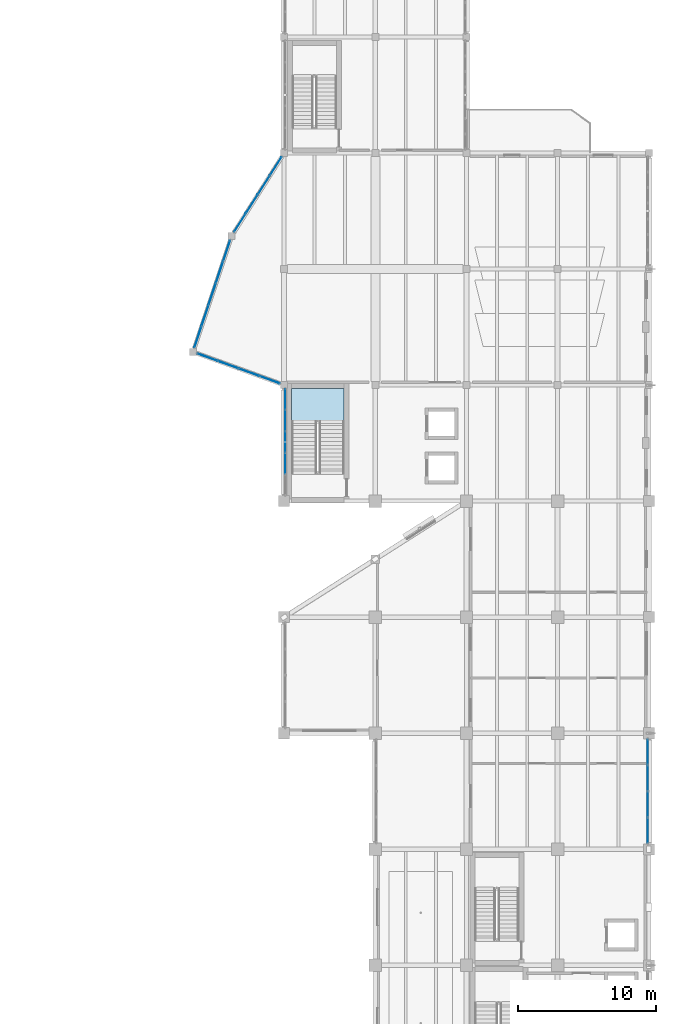
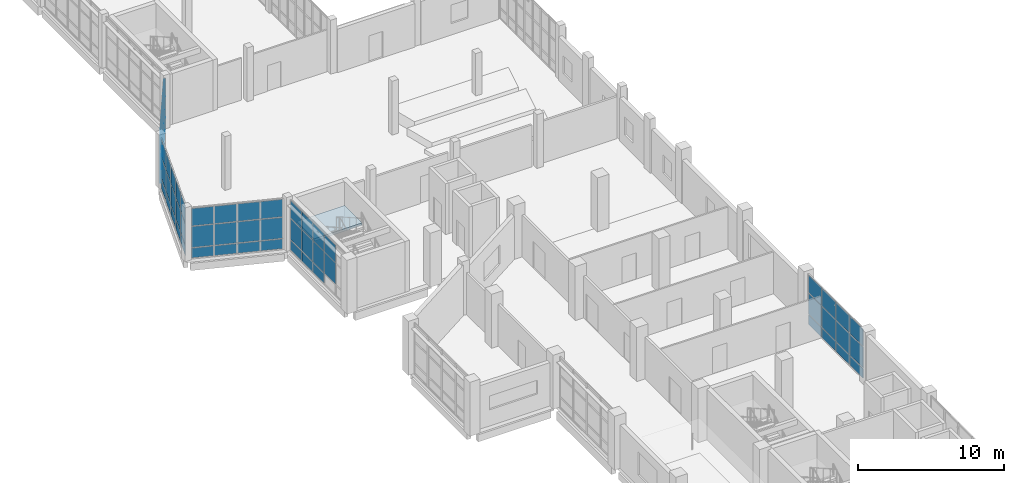
# One storey, part 39 of 76: 62 plates, 1 slab, 6 elements without a shape of their own.
"""IFC4 building model written with IfcOpenShell, lengths in metres."""

from ifc_helpers import new_model, si_unit, direction, frame, origin, origin_2d, place, context, subcontext, project, spatial, polyline, rectangle, outline, extrude, material, layer, layer_set, type_object, element, aggregate, save


model = new_model("IFC4")

# Units and contexts
model_context = context("Model", 3, precision=1e-05, world=origin(), true_north=direction((0.0, 1.0)))
body_context = subcontext(model_context, "Body", "Model", "MODEL_VIEW")
ifc_project = project(units=[si_unit("LENGTHUNIT", "METRE"), si_unit("AREAUNIT", "SQUARE_METRE"), si_unit("VOLUMEUNIT", "CUBIC_METRE"), si_unit("PLANEANGLEUNIT", "RADIAN"), si_unit("MASSUNIT", "GRAM", prefix="KILO")], contexts=[model_context])

# Site, building, storey
site_placement = place(None, origin())
site = spatial("IfcSite", under=ifc_project, at=site_placement, CompositionType="ELEMENT")
building_placement = place(site_placement, origin())
building = spatial("IfcBuilding", under=site, at=building_placement, Name="Qaldarim Faculty of Natural and Applied Sciences", CompositionType="ELEMENT")
storey_placement = place(building_placement, frame((0.0, 0.0, 9.89990234375)))
storey = spatial("IfcBuildingStorey", under=building, at=storey_placement, Name="L02", CompositionType="ELEMENT", Elevation=9.89990234375)

# Curtain wall, plates
ifc_material_1 = material(Name="Anodised aluminium AW-6063", Category="aluminium")
curtain_wall_type_1 = type_object("IfcCurtainWallType", Name="CurtainWallSystem-M1700", PredefinedType="USERDEFINED", material=ifc_material_1)
curtain_wall_1_placement = place(storey_placement, origin())
curtain_wall_1 = element("IfcCurtainWall", 1, at=curtain_wall_1_placement, inside=storey, type_object=curtain_wall_type_1, Name="Curtain wall CW-L02-E-X27Y05", ObjectType="UNITISED FACADE", PredefinedType="USERDEFINED")
ifc_material_2 = material(Name="Insulated low-e double glazing", Category="glass")
ifc_layer_1 = layer(ifc_material_2, 0.031982421875)
ifc_layer_set_1 = layer_set([ifc_layer_1], Name="Insulated low-e double glazing")
plate_type_1 = type_object("IfcPlateType", Name="SolarControlGlazingPanel-32", PredefinedType="CURTAIN_PANEL", material=ifc_layer_set_1)
plate_1_placement = place(storey_placement, frame((178.1201171875, 34.963623046875, 0.070068359375), z_axis=(0.0, 0.0, 1.0), x_axis=(0.0, 1.0, 0.0)))
plate_1 = element("IfcPlate", 2, at=plate_1_placement, type_object=plate_type_1, Name="Glazed panel 1-1 of CW-L02-E-X27Y05", PredefinedType="CURTAIN_PANEL", context=body_context, shape_type="SweptSolid", body=[
    extrude(rectangle(XDim=1.797607421875, YDim=0.031982421875, at=origin_2d()), origin(), (0.0, 0.0, 1.0), 0.794921875),
])
plate_2_placement = place(storey_placement, frame((178.1201171875, 34.963623046875, 0.93505859375), z_axis=(0.0, 0.0, 1.0), x_axis=(0.0, 1.0, 0.0)))
plate_2 = element("IfcPlate", 3, at=plate_2_placement, type_object=plate_type_1, Name="Glazed panel 1-2 of CW-L02-E-X27Y05", PredefinedType="CURTAIN_PANEL", context=body_context, shape_type="SweptSolid", body=[
    extrude(rectangle(XDim=1.797607421875, YDim=0.031982421875, at=origin_2d()), origin(), (0.0, 0.0, 1.0), 1.72998046875),
])
plate_3_placement = place(storey_placement, frame((178.1201171875, 34.963623046875, 2.735107421875), z_axis=(0.0, 0.0, 1.0), x_axis=(0.0, 1.0, 0.0)))
plate_3 = element("IfcPlate", 4, at=plate_3_placement, type_object=plate_type_1, Name="Glazed panel 1-3 of CW-L02-E-X27Y05", PredefinedType="CURTAIN_PANEL", context=body_context, shape_type="SweptSolid", body=[
    extrude(rectangle(XDim=1.797607421875, YDim=0.031982421875, at=origin_2d()), origin(), (0.0, 0.0, 1.0), 1.43505859375),
])
plate_4_placement = place(storey_placement, frame((178.1201171875, 36.8486328125, 0.070068359375), z_axis=(0.0, 0.0, 1.0), x_axis=(0.0, 1.0, 0.0)))
plate_4 = element("IfcPlate", 5, at=plate_4_placement, type_object=plate_type_1, Name="Glazed panel 2-1 of CW-L02-E-X27Y05", PredefinedType="CURTAIN_PANEL", context=body_context, shape_type="SweptSolid", body=[
    extrude(rectangle(XDim=1.83251953125, YDim=0.031982421875, at=origin_2d()), origin(), (0.0, 0.0, 1.0), 0.794921875),
])
plate_5_placement = place(storey_placement, frame((178.1201171875, 36.8486328125, 0.93505859375), z_axis=(0.0, 0.0, 1.0), x_axis=(0.0, 1.0, 0.0)))
plate_5 = element("IfcPlate", 6, at=plate_5_placement, type_object=plate_type_1, Name="Glazed panel 2-2 of CW-L02-E-X27Y05", PredefinedType="CURTAIN_PANEL", context=body_context, shape_type="SweptSolid", body=[
    extrude(rectangle(XDim=1.83251953125, YDim=0.031982421875, at=origin_2d()), origin(), (0.0, 0.0, 1.0), 1.72998046875),
])
plate_6_placement = place(storey_placement, frame((178.1201171875, 36.8486328125, 2.735107421875), z_axis=(0.0, 0.0, 1.0), x_axis=(0.0, 1.0, 0.0)))
plate_6 = element("IfcPlate", 7, at=plate_6_placement, type_object=plate_type_1, Name="Glazed panel 2-3 of CW-L02-E-X27Y05", PredefinedType="CURTAIN_PANEL", context=body_context, shape_type="SweptSolid", body=[
    extrude(rectangle(XDim=1.83251953125, YDim=0.031982421875, at=origin_2d()), origin(), (0.0, 0.0, 1.0), 1.43505859375),
])
plate_7_placement = place(storey_placement, frame((178.1201171875, 38.751220703125, 0.070068359375), z_axis=(0.0, 0.0, 1.0), x_axis=(0.0, 1.0, 0.0)))
plate_7 = element("IfcPlate", 8, at=plate_7_placement, type_object=plate_type_1, Name="Glazed panel 3-1 of CW-L02-E-X27Y05", PredefinedType="CURTAIN_PANEL", context=body_context, shape_type="SweptSolid", body=[
    extrude(rectangle(XDim=1.83251953125, YDim=0.031982421875, at=origin_2d()), origin(), (0.0, 0.0, 1.0), 0.794921875),
])
plate_8_placement = place(storey_placement, frame((178.1201171875, 38.751220703125, 0.93505859375), z_axis=(0.0, 0.0, 1.0), x_axis=(0.0, 1.0, 0.0)))
plate_8 = element("IfcPlate", 9, at=plate_8_placement, type_object=plate_type_1, Name="Glazed panel 3-2 of CW-L02-E-X27Y05", PredefinedType="CURTAIN_PANEL", context=body_context, shape_type="SweptSolid", body=[
    extrude(rectangle(XDim=1.83251953125, YDim=0.031982421875, at=origin_2d()), origin(), (0.0, 0.0, 1.0), 1.72998046875),
])
plate_9_placement = place(storey_placement, frame((178.1201171875, 38.751220703125, 2.735107421875), z_axis=(0.0, 0.0, 1.0), x_axis=(0.0, 1.0, 0.0)))
plate_9 = element("IfcPlate", 10, at=plate_9_placement, type_object=plate_type_1, Name="Glazed panel 3-3 of CW-L02-E-X27Y05", PredefinedType="CURTAIN_PANEL", context=body_context, shape_type="SweptSolid", body=[
    extrude(rectangle(XDim=1.83251953125, YDim=0.031982421875, at=origin_2d()), origin(), (0.0, 0.0, 1.0), 1.43505859375),
])
plate_10_placement = place(storey_placement, frame((178.1201171875, 40.63623046875, 0.070068359375), z_axis=(0.0, 0.0, 1.0), x_axis=(0.0, 1.0, 0.0)))
plate_10 = element("IfcPlate", 11, at=plate_10_placement, type_object=plate_type_1, Name="Glazed panel 4-1 of CW-L02-E-X27Y05", PredefinedType="CURTAIN_PANEL", context=body_context, shape_type="SweptSolid", body=[
    extrude(rectangle(XDim=1.797607421875, YDim=0.031982421875, at=origin_2d()), origin(), (0.0, 0.0, 1.0), 0.794921875),
])
plate_11_placement = place(storey_placement, frame((178.1201171875, 40.63623046875, 0.93505859375), z_axis=(0.0, 0.0, 1.0), x_axis=(0.0, 1.0, 0.0)))
plate_11 = element("IfcPlate", 12, at=plate_11_placement, type_object=plate_type_1, Name="Glazed panel 4-2 of CW-L02-E-X27Y05", PredefinedType="CURTAIN_PANEL", context=body_context, shape_type="SweptSolid", body=[
    extrude(rectangle(XDim=1.797607421875, YDim=0.031982421875, at=origin_2d()), origin(), (0.0, 0.0, 1.0), 1.72998046875),
])
plate_12_placement = place(storey_placement, frame((178.1201171875, 40.63623046875, 2.735107421875), z_axis=(0.0, 0.0, 1.0), x_axis=(0.0, 1.0, 0.0)))
plate_12 = element("IfcPlate", 13, at=plate_12_placement, type_object=plate_type_1, Name="Glazed panel 4-3 of CW-L02-E-X27Y05", PredefinedType="CURTAIN_PANEL", context=body_context, shape_type="SweptSolid", body=[
    extrude(rectangle(XDim=1.797607421875, YDim=0.031982421875, at=origin_2d()), origin(), (0.0, 0.0, 1.0), 1.43505859375),
])
aggregate(curtain_wall_1, [plate_1, plate_2, plate_3, plate_4, plate_5, plate_6, plate_7, plate_8, plate_9, plate_10, plate_11, plate_12])

# Stair, slab
ifc_material_3 = material(Name="Concrete C40/50", Category="concrete")
stair_type = type_object("IfcStairType", Name="DoglegStair-W1800-H4500-28R", PredefinedType="HALF_TURN_STAIR", material=ifc_material_3)
stair_placement = place(storey_placement, origin())
stair = element("IfcStair", 14, at=stair_placement, inside=storey, type_object=stair_type, Name="Enclosed exit stair ST-C1 L02", PredefinedType="HALF_TURN_STAIR")
ifc_layer_2 = layer(ifc_material_3, 0.2099609375)
ifc_layer_set_2 = layer_set([ifc_layer_2], Name="Concrete C40/50")
slab_type = type_object("IfcSlabType", Name="StairLandingSlab-210", PredefinedType="LANDING", material=ifc_layer_set_2)
slab_placement = place(storey_placement, frame((0.0, 0.0, 2.0400390625)))
slab = element("IfcSlab", 15, at=slab_placement, type_object=slab_type, Name="ST-C1 L02 half-landing 1", PredefinedType="LANDING", context=body_context, shape_type="SweptSolid", body=[
    extrude(outline(polyline([(156.14990234375, 64.5400390625), (156.14990234375, 66.949951171875), (152.35009765625, 66.949951171875), (152.35009765625, 64.5400390625), (156.14990234375, 64.5400390625)])), origin(), (0.0, 0.0, 1.0), 0.2099609375),
])
aggregate(stair, [slab])

# Curtain wall, plates
curtain_wall_type_2 = type_object("IfcCurtainWallType", Name="CurtainWallSystem-M1600", PredefinedType="USERDEFINED", material=ifc_material_1)
curtain_wall_2_placement = place(storey_placement, origin())
curtain_wall_2 = element("IfcCurtainWall", 16, at=curtain_wall_2_placement, inside=storey, type_object=curtain_wall_type_2, Name="Curtain wall CW-L02-W-X24Y08", ObjectType="UNITISED FACADE", PredefinedType="USERDEFINED")
ifc_layer_3 = layer(ifc_material_2, 0.028076171875)
ifc_layer_set_3 = layer_set([ifc_layer_3], Name="Insulated low-e double glazing")
plate_type_2 = type_object("IfcPlateType", Name="VisionGlazingPanel-28", PredefinedType="CURTAIN_PANEL", material=ifc_layer_set_3)
plate_13_placement = place(storey_placement, frame((151.8798828125, 66.1640625, 0.06005859375), z_axis=(0.0, 0.0, 1.0), x_axis=(0.0, -1.0, 0.0)))
plate_13 = element("IfcPlate", 17, at=plate_13_placement, type_object=plate_type_2, Name="Glazed panel 1-1 of CW-L02-W-X24Y08", PredefinedType="CURTAIN_PANEL", context=body_context, shape_type="SweptSolid", body=[
    extrude(rectangle(XDim=1.4619140625, YDim=0.028076171875, at=origin_2d()), origin(), (0.0, 0.0, 1.0), 0.81005859375),
])
plate_14_placement = place(storey_placement, frame((151.8798828125, 66.1640625, 0.93017578125), z_axis=(0.0, 0.0, 1.0), x_axis=(0.0, -1.0, 0.0)))
plate_14 = element("IfcPlate", 18, at=plate_14_placement, type_object=plate_type_2, Name="Glazed panel 1-2 of CW-L02-W-X24Y08", PredefinedType="CURTAIN_PANEL", context=body_context, shape_type="SweptSolid", body=[
    extrude(rectangle(XDim=1.4619140625, YDim=0.028076171875, at=origin_2d()), origin(), (0.0, 0.0, 1.0), 1.739990234375),
])
plate_15_placement = place(storey_placement, frame((151.8798828125, 66.1640625, 2.72998046875), z_axis=(0.0, 0.0, 1.0), x_axis=(0.0, -1.0, 0.0)))
plate_15 = element("IfcPlate", 19, at=plate_15_placement, type_object=plate_type_2, Name="Glazed panel 1-3 of CW-L02-W-X24Y08", PredefinedType="CURTAIN_PANEL", context=body_context, shape_type="SweptSolid", body=[
    extrude(rectangle(XDim=1.4619140625, YDim=0.028076171875, at=origin_2d()), origin(), (0.0, 0.0, 1.0), 1.449951171875),
])
plate_16_placement = place(storey_placement, frame((151.8798828125, 64.626953125, 0.06005859375), z_axis=(0.0, 0.0, 1.0), x_axis=(0.0, -1.0, 0.0)))
plate_16 = element("IfcPlate", 20, at=plate_16_placement, type_object=plate_type_2, Name="Glazed panel 2-1 of CW-L02-W-X24Y08", PredefinedType="CURTAIN_PANEL", context=body_context, shape_type="SweptSolid", body=[
    extrude(rectangle(XDim=1.491943359375, YDim=0.028076171875, at=origin_2d()), origin(), (0.0, 0.0, 1.0), 0.81005859375),
])
plate_17_placement = place(storey_placement, frame((151.8798828125, 64.626953125, 0.93017578125), z_axis=(0.0, 0.0, 1.0), x_axis=(0.0, -1.0, 0.0)))
plate_17 = element("IfcPlate", 21, at=plate_17_placement, type_object=plate_type_2, Name="Glazed panel 2-2 of CW-L02-W-X24Y08", PredefinedType="CURTAIN_PANEL", context=body_context, shape_type="SweptSolid", body=[
    extrude(rectangle(XDim=1.491943359375, YDim=0.028076171875, at=origin_2d()), origin(), (0.0, 0.0, 1.0), 1.739990234375),
])
plate_18_placement = place(storey_placement, frame((151.8798828125, 64.626953125, 2.72998046875), z_axis=(0.0, 0.0, 1.0), x_axis=(0.0, -1.0, 0.0)))
plate_18 = element("IfcPlate", 22, at=plate_18_placement, type_object=plate_type_2, Name="Glazed panel 2-3 of CW-L02-W-X24Y08", PredefinedType="CURTAIN_PANEL", context=body_context, shape_type="SweptSolid", body=[
    extrude(rectangle(XDim=1.491943359375, YDim=0.028076171875, at=origin_2d()), origin(), (0.0, 0.0, 1.0), 1.449951171875),
])
plate_19_placement = place(storey_placement, frame((151.8798828125, 63.074951171875, 0.06005859375), z_axis=(0.0, 0.0, 1.0), x_axis=(0.0, -1.0, 0.0)))
plate_19 = element("IfcPlate", 23, at=plate_19_placement, type_object=plate_type_2, Name="Glazed panel 3-1 of CW-L02-W-X24Y08", PredefinedType="CURTAIN_PANEL", context=body_context, shape_type="SweptSolid", body=[
    extrude(rectangle(XDim=1.491943359375, YDim=0.028076171875, at=origin_2d()), origin(), (0.0, 0.0, 1.0), 0.81005859375),
])
plate_20_placement = place(storey_placement, frame((151.8798828125, 63.074951171875, 0.93017578125), z_axis=(0.0, 0.0, 1.0), x_axis=(0.0, -1.0, 0.0)))
plate_20 = element("IfcPlate", 24, at=plate_20_placement, type_object=plate_type_2, Name="Glazed panel 3-2 of CW-L02-W-X24Y08", PredefinedType="CURTAIN_PANEL", context=body_context, shape_type="SweptSolid", body=[
    extrude(rectangle(XDim=1.491943359375, YDim=0.028076171875, at=origin_2d()), origin(), (0.0, 0.0, 1.0), 1.739990234375),
])
plate_21_placement = place(storey_placement, frame((151.8798828125, 63.074951171875, 2.72998046875), z_axis=(0.0, 0.0, 1.0), x_axis=(0.0, -1.0, 0.0)))
plate_21 = element("IfcPlate", 25, at=plate_21_placement, type_object=plate_type_2, Name="Glazed panel 3-3 of CW-L02-W-X24Y08", PredefinedType="CURTAIN_PANEL", context=body_context, shape_type="SweptSolid", body=[
    extrude(rectangle(XDim=1.491943359375, YDim=0.028076171875, at=origin_2d()), origin(), (0.0, 0.0, 1.0), 1.449951171875),
])
plate_22_placement = place(storey_placement, frame((151.8798828125, 61.52294921875, 0.93017578125), z_axis=(0.0, 0.0, 1.0), x_axis=(0.0, -1.0, 0.0)))
plate_22 = element("IfcPlate", 26, at=plate_22_placement, type_object=plate_type_2, Name="Glazed panel 4-2 of CW-L02-W-X24Y08", PredefinedType="CURTAIN_PANEL", context=body_context, shape_type="SweptSolid", body=[
    extrude(rectangle(XDim=1.491943359375, YDim=0.028076171875, at=origin_2d()), origin(), (0.0, 0.0, 1.0), 1.739990234375),
])
plate_23_placement = place(storey_placement, frame((151.8798828125, 61.52294921875, 2.72998046875), z_axis=(0.0, 0.0, 1.0), x_axis=(0.0, -1.0, 0.0)))
plate_23 = element("IfcPlate", 27, at=plate_23_placement, type_object=plate_type_2, Name="Glazed panel 4-3 of CW-L02-W-X24Y08", PredefinedType="CURTAIN_PANEL", context=body_context, shape_type="SweptSolid", body=[
    extrude(rectangle(XDim=1.491943359375, YDim=0.028076171875, at=origin_2d()), origin(), (0.0, 0.0, 1.0), 1.449951171875),
])
aggregate(curtain_wall_2, [plate_13, plate_14, plate_15, plate_16, plate_17, plate_18, plate_19, plate_20, plate_21, plate_22, plate_23])

curtain_wall_3_placement = place(storey_placement, origin())
curtain_wall_3 = element("IfcCurtainWall", 28, at=curtain_wall_3_placement, inside=storey, type_object=curtain_wall_type_2, Name="Curtain wall CW-PROW-L02-1", ObjectType="UNITISED FACADE", PredefinedType="USERDEFINED")
plate_24_placement = place(storey_placement, frame((151.197021484375, 83.046142578125, 0.06005859375), z_axis=(0.0, 0.0, 1.0), x_axis=(-0.535384632481, -0.844608368004, 0.0)))
plate_24 = element("IfcPlate", 29, at=plate_24_placement, type_object=plate_type_2, Name="Glazed panel 1-1 of CW-PROW-L02-1", PredefinedType="CURTAIN_PANEL", context=body_context, shape_type="SweptSolid", body=[
    extrude(rectangle(XDim=1.534912109375, YDim=0.028076171875, at=origin_2d()), origin(), (0.0, 0.0, 1.0), 0.81005859375),
])
plate_25_placement = place(storey_placement, frame((151.197021484375, 83.046142578125, 0.93017578125), z_axis=(0.0, 0.0, 1.0), x_axis=(-0.535384632481, -0.844608368004, 0.0)))
plate_25 = element("IfcPlate", 30, at=plate_25_placement, type_object=plate_type_2, Name="Glazed panel 1-2 of CW-PROW-L02-1", PredefinedType="CURTAIN_PANEL", context=body_context, shape_type="SweptSolid", body=[
    extrude(rectangle(XDim=1.534912109375, YDim=0.028076171875, at=origin_2d()), origin(), (0.0, 0.0, 1.0), 1.739990234375),
])
plate_26_placement = place(storey_placement, frame((151.197021484375, 83.046142578125, 2.72998046875), z_axis=(0.0, 0.0, 1.0), x_axis=(-0.535384632481, -0.844608368004, 0.0)))
plate_26 = element("IfcPlate", 31, at=plate_26_placement, type_object=plate_type_2, Name="Glazed panel 1-3 of CW-PROW-L02-1", PredefinedType="CURTAIN_PANEL", context=body_context, shape_type="SweptSolid", body=[
    extrude(rectangle(XDim=1.534912109375, YDim=0.028076171875, at=origin_2d()), origin(), (0.0, 0.0, 1.0), 1.449951171875),
])
plate_27_placement = place(storey_placement, frame((150.3349609375, 81.686279296875, 0.06005859375), z_axis=(0.0, 0.0, 1.0), x_axis=(-0.535384632481, -0.844608368004, 0.0)))
plate_27 = element("IfcPlate", 32, at=plate_27_placement, type_object=plate_type_2, Name="Glazed panel 2-1 of CW-PROW-L02-1", PredefinedType="CURTAIN_PANEL", context=body_context, shape_type="SweptSolid", body=[
    extrude(rectangle(XDim=1.56494140625, YDim=0.028076171875, at=origin_2d()), origin(), (0.0, 0.0, 1.0), 0.81005859375),
])
plate_28_placement = place(storey_placement, frame((150.3349609375, 81.686279296875, 0.93017578125), z_axis=(0.0, 0.0, 1.0), x_axis=(-0.535384632481, -0.844608368004, 0.0)))
plate_28 = element("IfcPlate", 33, at=plate_28_placement, type_object=plate_type_2, Name="Glazed panel 2-2 of CW-PROW-L02-1", PredefinedType="CURTAIN_PANEL", context=body_context, shape_type="SweptSolid", body=[
    extrude(rectangle(XDim=1.56494140625, YDim=0.028076171875, at=origin_2d()), origin(), (0.0, 0.0, 1.0), 1.739990234375),
])
plate_29_placement = place(storey_placement, frame((150.3349609375, 81.686279296875, 2.72998046875), z_axis=(0.0, 0.0, 1.0), x_axis=(-0.535384632481, -0.844608368004, 0.0)))
plate_29 = element("IfcPlate", 34, at=plate_29_placement, type_object=plate_type_2, Name="Glazed panel 2-3 of CW-PROW-L02-1", PredefinedType="CURTAIN_PANEL", context=body_context, shape_type="SweptSolid", body=[
    extrude(rectangle(XDim=1.56494140625, YDim=0.028076171875, at=origin_2d()), origin(), (0.0, 0.0, 1.0), 1.449951171875),
])
plate_30_placement = place(storey_placement, frame((149.465087890625, 80.313720703125, 0.06005859375), z_axis=(0.0, 0.0, 1.0), x_axis=(-0.535384632481, -0.844608368004, 0.0)))
plate_30 = element("IfcPlate", 35, at=plate_30_placement, type_object=plate_type_2, Name="Glazed panel 3-1 of CW-PROW-L02-1", PredefinedType="CURTAIN_PANEL", context=body_context, shape_type="SweptSolid", body=[
    extrude(rectangle(XDim=1.56494140625, YDim=0.028076171875, at=origin_2d()), origin(), (0.0, 0.0, 1.0), 0.81005859375),
])
plate_31_placement = place(storey_placement, frame((149.465087890625, 80.313720703125, 0.93017578125), z_axis=(0.0, 0.0, 1.0), x_axis=(-0.535384632481, -0.844608368004, 0.0)))
plate_31 = element("IfcPlate", 36, at=plate_31_placement, type_object=plate_type_2, Name="Glazed panel 3-2 of CW-PROW-L02-1", PredefinedType="CURTAIN_PANEL", context=body_context, shape_type="SweptSolid", body=[
    extrude(rectangle(XDim=1.56494140625, YDim=0.028076171875, at=origin_2d()), origin(), (0.0, 0.0, 1.0), 1.739990234375),
])
plate_32_placement = place(storey_placement, frame((149.465087890625, 80.313720703125, 2.72998046875), z_axis=(0.0, 0.0, 1.0), x_axis=(-0.535384632481, -0.844608368004, 0.0)))
plate_32 = element("IfcPlate", 37, at=plate_32_placement, type_object=plate_type_2, Name="Glazed panel 3-3 of CW-PROW-L02-1", PredefinedType="CURTAIN_PANEL", context=body_context, shape_type="SweptSolid", body=[
    extrude(rectangle(XDim=1.56494140625, YDim=0.028076171875, at=origin_2d()), origin(), (0.0, 0.0, 1.0), 1.449951171875),
])
plate_33_placement = place(storey_placement, frame((148.60302734375, 78.953857421875, 0.06005859375), z_axis=(0.0, 0.0, 1.0), x_axis=(-0.535384632481, -0.844608368004, 0.0)))
plate_33 = element("IfcPlate", 38, at=plate_33_placement, type_object=plate_type_2, Name="Glazed panel 4-1 of CW-PROW-L02-1", PredefinedType="CURTAIN_PANEL", context=body_context, shape_type="SweptSolid", body=[
    extrude(rectangle(XDim=1.534912109375, YDim=0.028076171875, at=origin_2d()), origin(), (0.0, 0.0, 1.0), 0.81005859375),
])
plate_34_placement = place(storey_placement, frame((148.60302734375, 78.953857421875, 0.93017578125), z_axis=(0.0, 0.0, 1.0), x_axis=(-0.535384632481, -0.844608368004, 0.0)))
plate_34 = element("IfcPlate", 39, at=plate_34_placement, type_object=plate_type_2, Name="Glazed panel 4-2 of CW-PROW-L02-1", PredefinedType="CURTAIN_PANEL", context=body_context, shape_type="SweptSolid", body=[
    extrude(rectangle(XDim=1.534912109375, YDim=0.028076171875, at=origin_2d()), origin(), (0.0, 0.0, 1.0), 1.739990234375),
])
plate_35_placement = place(storey_placement, frame((148.60302734375, 78.953857421875, 2.72998046875), z_axis=(0.0, 0.0, 1.0), x_axis=(-0.535384632481, -0.844608368004, 0.0)))
plate_35 = element("IfcPlate", 40, at=plate_35_placement, type_object=plate_type_2, Name="Glazed panel 4-3 of CW-PROW-L02-1", PredefinedType="CURTAIN_PANEL", context=body_context, shape_type="SweptSolid", body=[
    extrude(rectangle(XDim=1.534912109375, YDim=0.028076171875, at=origin_2d()), origin(), (0.0, 0.0, 1.0), 1.449951171875),
])
aggregate(curtain_wall_3, [plate_24, plate_25, plate_26, plate_27, plate_28, plate_29, plate_30, plate_31, plate_32, plate_33, plate_34, plate_35])

curtain_wall_4_placement = place(storey_placement, origin())
curtain_wall_4 = element("IfcCurtainWall", 41, at=curtain_wall_4_placement, inside=storey, type_object=curtain_wall_type_2, Name="Curtain wall CW-PROW-L02-2", ObjectType="UNITISED FACADE", PredefinedType="USERDEFINED")
plate_36_placement = place(storey_placement, frame((147.639404296875, 76.917724609375, 0.06005859375), z_axis=(0.0, 0.0, 1.0), x_axis=(-0.316228613389, -0.948683015593, 0.0)))
plate_36 = element("IfcPlate", 42, at=plate_36_placement, type_object=plate_type_2, Name="Glazed panel 1-1 of CW-PROW-L02-2", PredefinedType="CURTAIN_PANEL", context=body_context, shape_type="SweptSolid", body=[
    extrude(rectangle(XDim=1.560791015625, YDim=0.028076171875, at=origin_2d()), origin(), (0.0, 0.0, 1.0), 0.81005859375),
])
plate_37_placement = place(storey_placement, frame((147.639404296875, 76.917724609375, 0.93017578125), z_axis=(0.0, 0.0, 1.0), x_axis=(-0.316228613389, -0.948683015593, 0.0)))
plate_37 = element("IfcPlate", 43, at=plate_37_placement, type_object=plate_type_2, Name="Glazed panel 1-2 of CW-PROW-L02-2", PredefinedType="CURTAIN_PANEL", context=body_context, shape_type="SweptSolid", body=[
    extrude(rectangle(XDim=1.560791015625, YDim=0.028076171875, at=origin_2d()), origin(), (0.0, 0.0, 1.0), 1.739990234375),
])
plate_38_placement = place(storey_placement, frame((147.639404296875, 76.917724609375, 2.72998046875), z_axis=(0.0, 0.0, 1.0), x_axis=(-0.316228613389, -0.948683015593, 0.0)))
plate_38 = element("IfcPlate", 44, at=plate_38_placement, type_object=plate_type_2, Name="Glazed panel 1-3 of CW-PROW-L02-2", PredefinedType="CURTAIN_PANEL", context=body_context, shape_type="SweptSolid", body=[
    extrude(rectangle(XDim=1.560791015625, YDim=0.028076171875, at=origin_2d()), origin(), (0.0, 0.0, 1.0), 1.449951171875),
])
plate_39_placement = place(storey_placement, frame((147.1220703125, 75.365966796875, 0.06005859375), z_axis=(0.0, 0.0, 1.0), x_axis=(-0.316228613389, -0.948683015593, 0.0)))
plate_39 = element("IfcPlate", 45, at=plate_39_placement, type_object=plate_type_2, Name="Glazed panel 2-1 of CW-PROW-L02-2", PredefinedType="CURTAIN_PANEL", context=body_context, shape_type="SweptSolid", body=[
    extrude(rectangle(XDim=1.5908203125, YDim=0.028076171875, at=origin_2d()), origin(), (0.0, 0.0, 1.0), 0.81005859375),
])
plate_40_placement = place(storey_placement, frame((147.1220703125, 75.365966796875, 0.93017578125), z_axis=(0.0, 0.0, 1.0), x_axis=(-0.316228613389, -0.948683015593, 0.0)))
plate_40 = element("IfcPlate", 46, at=plate_40_placement, type_object=plate_type_2, Name="Glazed panel 2-2 of CW-PROW-L02-2", PredefinedType="CURTAIN_PANEL", context=body_context, shape_type="SweptSolid", body=[
    extrude(rectangle(XDim=1.5908203125, YDim=0.028076171875, at=origin_2d()), origin(), (0.0, 0.0, 1.0), 1.739990234375),
])
plate_41_placement = place(storey_placement, frame((147.1220703125, 75.365966796875, 2.72998046875), z_axis=(0.0, 0.0, 1.0), x_axis=(-0.316228613389, -0.948683015593, 0.0)))
plate_41 = element("IfcPlate", 47, at=plate_41_placement, type_object=plate_type_2, Name="Glazed panel 2-3 of CW-PROW-L02-2", PredefinedType="CURTAIN_PANEL", context=body_context, shape_type="SweptSolid", body=[
    extrude(rectangle(XDim=1.5908203125, YDim=0.028076171875, at=origin_2d()), origin(), (0.0, 0.0, 1.0), 1.449951171875),
])
plate_42_placement = place(storey_placement, frame((146.60009765625, 73.800048828125, 0.06005859375), z_axis=(0.0, 0.0, 1.0), x_axis=(-0.316228613389, -0.948683015593, 0.0)))
plate_42 = element("IfcPlate", 48, at=plate_42_placement, type_object=plate_type_2, Name="Glazed panel 3-1 of CW-PROW-L02-2", PredefinedType="CURTAIN_PANEL", context=body_context, shape_type="SweptSolid", body=[
    extrude(rectangle(XDim=1.5908203125, YDim=0.028076171875, at=origin_2d()), origin(), (0.0, 0.0, 1.0), 0.81005859375),
])
plate_43_placement = place(storey_placement, frame((146.60009765625, 73.800048828125, 0.93017578125), z_axis=(0.0, 0.0, 1.0), x_axis=(-0.316228613389, -0.948683015593, 0.0)))
plate_43 = element("IfcPlate", 49, at=plate_43_placement, type_object=plate_type_2, Name="Glazed panel 3-2 of CW-PROW-L02-2", PredefinedType="CURTAIN_PANEL", context=body_context, shape_type="SweptSolid", body=[
    extrude(rectangle(XDim=1.5908203125, YDim=0.028076171875, at=origin_2d()), origin(), (0.0, 0.0, 1.0), 1.739990234375),
])
plate_44_placement = place(storey_placement, frame((146.60009765625, 73.800048828125, 2.72998046875), z_axis=(0.0, 0.0, 1.0), x_axis=(-0.316228613389, -0.948683015593, 0.0)))
plate_44 = element("IfcPlate", 50, at=plate_44_placement, type_object=plate_type_2, Name="Glazed panel 3-3 of CW-PROW-L02-2", PredefinedType="CURTAIN_PANEL", context=body_context, shape_type="SweptSolid", body=[
    extrude(rectangle(XDim=1.5908203125, YDim=0.028076171875, at=origin_2d()), origin(), (0.0, 0.0, 1.0), 1.449951171875),
])
plate_45_placement = place(storey_placement, frame((146.077880859375, 72.23388671875, 0.06005859375), z_axis=(0.0, 0.0, 1.0), x_axis=(-0.316228613389, -0.948683015593, 0.0)))
plate_45 = element("IfcPlate", 51, at=plate_45_placement, type_object=plate_type_2, Name="Glazed panel 4-1 of CW-PROW-L02-2", PredefinedType="CURTAIN_PANEL", context=body_context, shape_type="SweptSolid", body=[
    extrude(rectangle(XDim=1.5908203125, YDim=0.028076171875, at=origin_2d()), origin(), (0.0, 0.0, 1.0), 0.81005859375),
])
plate_46_placement = place(storey_placement, frame((146.077880859375, 72.23388671875, 0.93017578125), z_axis=(0.0, 0.0, 1.0), x_axis=(-0.316228613389, -0.948683015593, 0.0)))
plate_46 = element("IfcPlate", 52, at=plate_46_placement, type_object=plate_type_2, Name="Glazed panel 4-2 of CW-PROW-L02-2", PredefinedType="CURTAIN_PANEL", context=body_context, shape_type="SweptSolid", body=[
    extrude(rectangle(XDim=1.5908203125, YDim=0.028076171875, at=origin_2d()), origin(), (0.0, 0.0, 1.0), 1.739990234375),
])
plate_47_placement = place(storey_placement, frame((146.077880859375, 72.23388671875, 2.72998046875), z_axis=(0.0, 0.0, 1.0), x_axis=(-0.316228613389, -0.948683015593, 0.0)))
plate_47 = element("IfcPlate", 53, at=plate_47_placement, type_object=plate_type_2, Name="Glazed panel 4-3 of CW-PROW-L02-2", PredefinedType="CURTAIN_PANEL", context=body_context, shape_type="SweptSolid", body=[
    extrude(rectangle(XDim=1.5908203125, YDim=0.028076171875, at=origin_2d()), origin(), (0.0, 0.0, 1.0), 1.449951171875),
])
plate_48_placement = place(storey_placement, frame((145.560791015625, 70.68212890625, 0.06005859375), z_axis=(0.0, 0.0, 1.0), x_axis=(-0.316228613389, -0.948683015593, 0.0)))
plate_48 = element("IfcPlate", 54, at=plate_48_placement, type_object=plate_type_2, Name="Glazed panel 5-1 of CW-PROW-L02-2", PredefinedType="CURTAIN_PANEL", context=body_context, shape_type="SweptSolid", body=[
    extrude(rectangle(XDim=1.560791015625, YDim=0.028076171875, at=origin_2d()), origin(), (0.0, 0.0, 1.0), 0.81005859375),
])
plate_49_placement = place(storey_placement, frame((145.560791015625, 70.68212890625, 0.93017578125), z_axis=(0.0, 0.0, 1.0), x_axis=(-0.316228613389, -0.948683015593, 0.0)))
plate_49 = element("IfcPlate", 55, at=plate_49_placement, type_object=plate_type_2, Name="Glazed panel 5-2 of CW-PROW-L02-2", PredefinedType="CURTAIN_PANEL", context=body_context, shape_type="SweptSolid", body=[
    extrude(rectangle(XDim=1.560791015625, YDim=0.028076171875, at=origin_2d()), origin(), (0.0, 0.0, 1.0), 1.739990234375),
])
plate_50_placement = place(storey_placement, frame((145.560791015625, 70.68212890625, 2.72998046875), z_axis=(0.0, 0.0, 1.0), x_axis=(-0.316228613389, -0.948683015593, 0.0)))
plate_50 = element("IfcPlate", 56, at=plate_50_placement, type_object=plate_type_2, Name="Glazed panel 5-3 of CW-PROW-L02-2", PredefinedType="CURTAIN_PANEL", context=body_context, shape_type="SweptSolid", body=[
    extrude(rectangle(XDim=1.560791015625, YDim=0.028076171875, at=origin_2d()), origin(), (0.0, 0.0, 1.0), 1.449951171875),
])
aggregate(curtain_wall_4, [plate_36, plate_37, plate_38, plate_39, plate_40, plate_41, plate_42, plate_43, plate_44, plate_45, plate_46, plate_47, plate_48, plate_49, plate_50])

curtain_wall_5_placement = place(storey_placement, origin())
curtain_wall_5 = element("IfcCurtainWall", 57, at=curtain_wall_5_placement, inside=storey, type_object=curtain_wall_type_2, Name="Curtain wall CW-PROW-L02-3", ObjectType="UNITISED FACADE", PredefinedType="USERDEFINED")
plate_51_placement = place(storey_placement, frame((146.2490234375, 69.216064453125, 0.06005859375), z_axis=(0.0, 0.0, 1.0), x_axis=(0.94010977581, -0.340871837244, 0.0)))
plate_51 = element("IfcPlate", 58, at=plate_51_placement, type_object=plate_type_2, Name="Glazed panel 1-1 of CW-PROW-L02-3", PredefinedType="CURTAIN_PANEL", context=body_context, shape_type="SweptSolid", body=[
    extrude(rectangle(XDim=1.51611328125, YDim=0.028076171875, at=origin_2d()), origin(), (0.0, 0.0, 1.0), 0.81005859375),
])
plate_52_placement = place(storey_placement, frame((146.2490234375, 69.216064453125, 0.93017578125), z_axis=(0.0, 0.0, 1.0), x_axis=(0.94010977581, -0.340871837244, 0.0)))
plate_52 = element("IfcPlate", 59, at=plate_52_placement, type_object=plate_type_2, Name="Glazed panel 1-2 of CW-PROW-L02-3", PredefinedType="CURTAIN_PANEL", context=body_context, shape_type="SweptSolid", body=[
    extrude(rectangle(XDim=1.51611328125, YDim=0.028076171875, at=origin_2d()), origin(), (0.0, 0.0, 1.0), 1.739990234375),
])
plate_53_placement = place(storey_placement, frame((146.2490234375, 69.216064453125, 2.72998046875), z_axis=(0.0, 0.0, 1.0), x_axis=(0.94010977581, -0.340871837244, 0.0)))
plate_53 = element("IfcPlate", 60, at=plate_53_placement, type_object=plate_type_2, Name="Glazed panel 1-3 of CW-PROW-L02-3", PredefinedType="CURTAIN_PANEL", context=body_context, shape_type="SweptSolid", body=[
    extrude(rectangle(XDim=1.51611328125, YDim=0.028076171875, at=origin_2d()), origin(), (0.0, 0.0, 1.0), 1.449951171875),
])
plate_54_placement = place(storey_placement, frame((147.7451171875, 68.673583984375, 0.06005859375), z_axis=(0.0, 0.0, 1.0), x_axis=(0.94010977581, -0.340871837244, 0.0)))
plate_54 = element("IfcPlate", 61, at=plate_54_placement, type_object=plate_type_2, Name="Glazed panel 2-1 of CW-PROW-L02-3", PredefinedType="CURTAIN_PANEL", context=body_context, shape_type="SweptSolid", body=[
    extrude(rectangle(XDim=1.546142578125, YDim=0.028076171875, at=origin_2d()), origin(), (0.0, 0.0, 1.0), 0.81005859375),
])
plate_55_placement = place(storey_placement, frame((147.7451171875, 68.673583984375, 0.93017578125), z_axis=(0.0, 0.0, 1.0), x_axis=(0.94010977581, -0.340871837244, 0.0)))
plate_55 = element("IfcPlate", 62, at=plate_55_placement, type_object=plate_type_2, Name="Glazed panel 2-2 of CW-PROW-L02-3", PredefinedType="CURTAIN_PANEL", context=body_context, shape_type="SweptSolid", body=[
    extrude(rectangle(XDim=1.546142578125, YDim=0.028076171875, at=origin_2d()), origin(), (0.0, 0.0, 1.0), 1.739990234375),
])
plate_56_placement = place(storey_placement, frame((147.7451171875, 68.673583984375, 2.72998046875), z_axis=(0.0, 0.0, 1.0), x_axis=(0.94010977581, -0.340871837244, 0.0)))
plate_56 = element("IfcPlate", 63, at=plate_56_placement, type_object=plate_type_2, Name="Glazed panel 2-3 of CW-PROW-L02-3", PredefinedType="CURTAIN_PANEL", context=body_context, shape_type="SweptSolid", body=[
    extrude(rectangle(XDim=1.546142578125, YDim=0.028076171875, at=origin_2d()), origin(), (0.0, 0.0, 1.0), 1.449951171875),
])
plate_57_placement = place(storey_placement, frame((149.2548828125, 68.126220703125, 0.06005859375), z_axis=(0.0, 0.0, 1.0), x_axis=(0.94010977581, -0.340871837244, 0.0)))
plate_57 = element("IfcPlate", 64, at=plate_57_placement, type_object=plate_type_2, Name="Glazed panel 3-1 of CW-PROW-L02-3", PredefinedType="CURTAIN_PANEL", context=body_context, shape_type="SweptSolid", body=[
    extrude(rectangle(XDim=1.546142578125, YDim=0.028076171875, at=origin_2d()), origin(), (0.0, 0.0, 1.0), 0.81005859375),
])
plate_58_placement = place(storey_placement, frame((149.2548828125, 68.126220703125, 0.93017578125), z_axis=(0.0, 0.0, 1.0), x_axis=(0.94010977581, -0.340871837244, 0.0)))
plate_58 = element("IfcPlate", 65, at=plate_58_placement, type_object=plate_type_2, Name="Glazed panel 3-2 of CW-PROW-L02-3", PredefinedType="CURTAIN_PANEL", context=body_context, shape_type="SweptSolid", body=[
    extrude(rectangle(XDim=1.546142578125, YDim=0.028076171875, at=origin_2d()), origin(), (0.0, 0.0, 1.0), 1.739990234375),
])
plate_59_placement = place(storey_placement, frame((149.2548828125, 68.126220703125, 2.72998046875), z_axis=(0.0, 0.0, 1.0), x_axis=(0.94010977581, -0.340871837244, 0.0)))
plate_59 = element("IfcPlate", 66, at=plate_59_placement, type_object=plate_type_2, Name="Glazed panel 3-3 of CW-PROW-L02-3", PredefinedType="CURTAIN_PANEL", context=body_context, shape_type="SweptSolid", body=[
    extrude(rectangle(XDim=1.546142578125, YDim=0.028076171875, at=origin_2d()), origin(), (0.0, 0.0, 1.0), 1.449951171875),
])
plate_60_placement = place(storey_placement, frame((150.7509765625, 67.583984375, 0.06005859375), z_axis=(0.0, 0.0, 1.0), x_axis=(0.94010977581, -0.340871837244, 0.0)))
plate_60 = element("IfcPlate", 67, at=plate_60_placement, type_object=plate_type_2, Name="Glazed panel 4-1 of CW-PROW-L02-3", PredefinedType="CURTAIN_PANEL", context=body_context, shape_type="SweptSolid", body=[
    extrude(rectangle(XDim=1.51611328125, YDim=0.028076171875, at=origin_2d()), origin(), (0.0, 0.0, 1.0), 0.81005859375),
])
plate_61_placement = place(storey_placement, frame((150.7509765625, 67.583984375, 0.93017578125), z_axis=(0.0, 0.0, 1.0), x_axis=(0.94010977581, -0.340871837244, 0.0)))
plate_61 = element("IfcPlate", 68, at=plate_61_placement, type_object=plate_type_2, Name="Glazed panel 4-2 of CW-PROW-L02-3", PredefinedType="CURTAIN_PANEL", context=body_context, shape_type="SweptSolid", body=[
    extrude(rectangle(XDim=1.51611328125, YDim=0.028076171875, at=origin_2d()), origin(), (0.0, 0.0, 1.0), 1.739990234375),
])
plate_62_placement = place(storey_placement, frame((150.7509765625, 67.583984375, 2.72998046875), z_axis=(0.0, 0.0, 1.0), x_axis=(0.94010977581, -0.340871837244, 0.0)))
plate_62 = element("IfcPlate", 69, at=plate_62_placement, type_object=plate_type_2, Name="Glazed panel 4-3 of CW-PROW-L02-3", PredefinedType="CURTAIN_PANEL", context=body_context, shape_type="SweptSolid", body=[
    extrude(rectangle(XDim=1.51611328125, YDim=0.028076171875, at=origin_2d()), origin(), (0.0, 0.0, 1.0), 1.449951171875),
])
aggregate(curtain_wall_5, [plate_51, plate_52, plate_53, plate_54, plate_55, plate_56, plate_57, plate_58, plate_59, plate_60, plate_61, plate_62])

save(model, "model.ifc")
